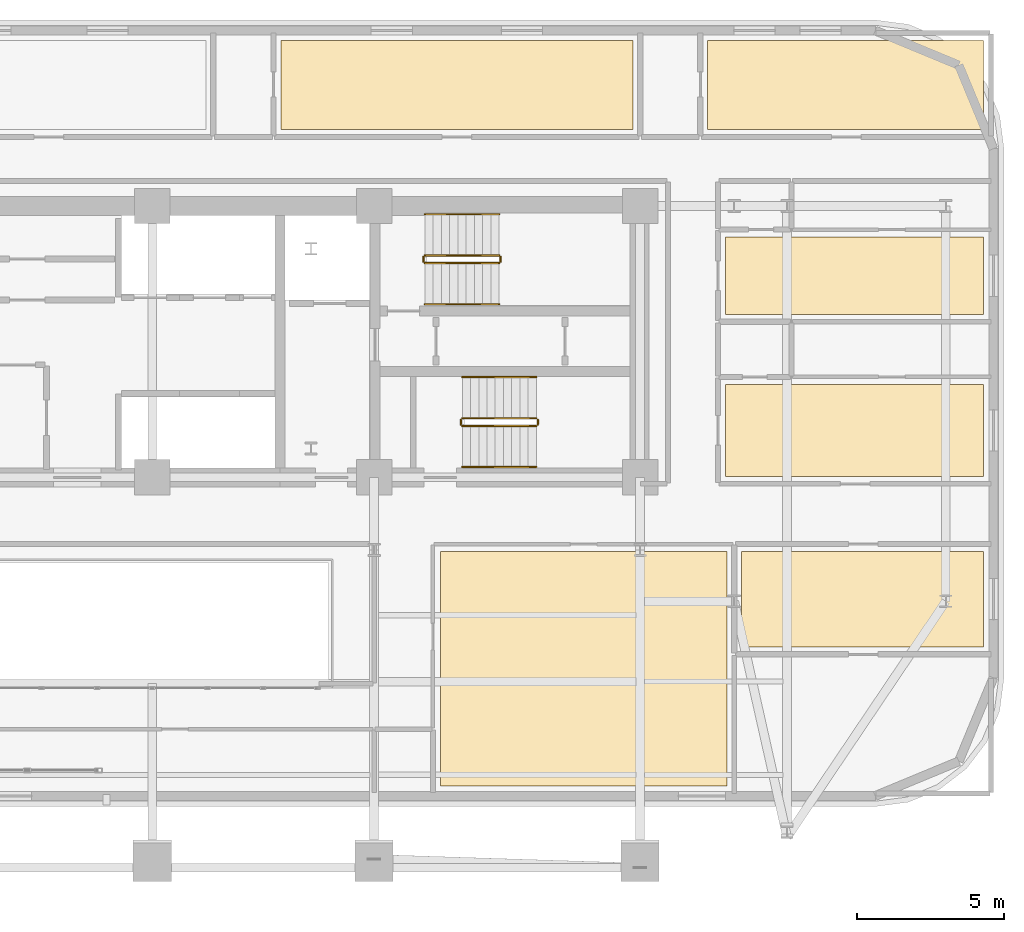
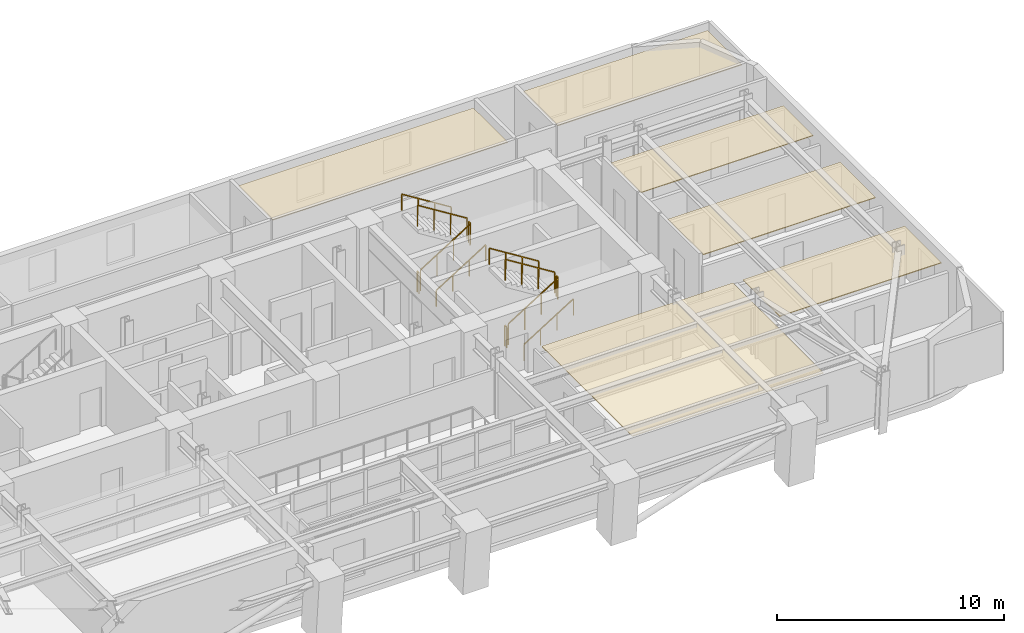
# One storey, part 15 of 15: 12 railings, 6 coverings.
"""IFC4 building model written with IfcOpenShell, lengths in metres."""

from ifc_helpers import new_model, si_unit, direction, frame, origin, origin_2d, place, context, subcontext, project, spatial, polyline, rectangle, outline, extrude, material, layer, layer_set, type_object, element, save


model = new_model("IFC4")

# Units and contexts
model_context = context("Model", 3, precision=1e-05, world=origin(), true_north=direction((0.0, 1.0)))
body_context = subcontext(model_context, "Body", "Model", "MODEL_VIEW")
ifc_project = project(units=[si_unit("LENGTHUNIT", "METRE"), si_unit("AREAUNIT", "SQUARE_METRE"), si_unit("VOLUMEUNIT", "CUBIC_METRE"), si_unit("PLANEANGLEUNIT", "RADIAN"), si_unit("MASSUNIT", "GRAM", prefix="KILO")], contexts=[model_context])

# Site, building, storey
site_placement = place(None, origin())
site = spatial("IfcSite", under=ifc_project, at=site_placement, CompositionType="ELEMENT")
building_placement = place(site_placement, origin())
building = spatial("IfcBuilding", under=site, at=building_placement, Name="Zarnavel Station Tower", CompositionType="ELEMENT")
storey_placement = place(building_placement, frame((0.0, 0.0, 125.800048828125)))
storey = spatial("IfcBuildingStorey", under=building, at=storey_placement, Name="L34", CompositionType="ELEMENT", Elevation=125.800048828125)

# Coverings
ifc_material_1 = material(Name="Perforated Gypsum and Mineral-Wool Acoustic Ceiling", Category="concrete")
ifc_layer = layer(ifc_material_1, 0.0400390625)
ifc_layer_set = layer_set([ifc_layer], Name="COV_CEIL_ACOUSTIC")
covering_type = type_object("IfcCoveringType", Name="COV_CEIL_ACOUSTIC", PredefinedType="CEILING", material=ifc_layer_set)
covering_1_placement = place(storey_placement, frame((0.0, 0.0, 2.919921875)))
element("IfcCovering", 1, at=covering_1_placement, inside=storey, type_object=covering_type, Name="L34 FNE1R Acoustic Ceiling", PredefinedType="CEILING", context=body_context, shape_type="SweptSolid", body=[
    extrude(outline(polyline([(48.300048828125, 27.85009765625), (57.090087890625, 27.85009765625), (57.090087890625, 30.986083984375), (48.300048828125, 30.986083984375), (48.300048828125, 27.85009765625)])), origin(), (0.0, 0.0, 1.0), 0.0400390625),
])
covering_2_placement = place(storey_placement, frame((0.0, 0.0, 2.919921875)))
element("IfcCovering", 2, at=covering_2_placement, inside=storey, type_object=covering_type, Name="L34 FNE2R Acoustic Ceiling", PredefinedType="CEILING", context=body_context, shape_type="SweptSolid", body=[
    extrude(outline(polyline([(48.300048828125, 33.35888671875), (57.090087890625, 33.35888671875), (57.090087890625, 36.0), (48.300048828125, 36.0), (48.300048828125, 33.35888671875)])), origin(), (0.0, 0.0, 1.0), 0.0400390625),
])
covering_3_placement = place(storey_placement, frame((0.0, 0.0, 2.919921875)))
element("IfcCovering", 3, at=covering_3_placement, inside=storey, type_object=covering_type, Name="L34 HN3R Acoustic Ceiling", PredefinedType="CEILING", context=body_context, shape_type="SweptSolid", body=[
    extrude(outline(polyline([(33.177001953125, 39.64990234375), (45.14990234375, 39.64990234375), (45.14990234375, 42.68994140625), (33.177001953125, 42.68994140625), (33.177001953125, 39.64990234375)])), origin(), (0.0, 0.0, 1.0), 0.0400390625),
])
covering_4_placement = place(storey_placement, frame((0.0, 0.0, 2.919921875)))
element("IfcCovering", 4, at=covering_4_placement, inside=storey, type_object=covering_type, Name="L34 HN4R Acoustic Ceiling", PredefinedType="CEILING", context=body_context, shape_type="SweptSolid", body=[
    extrude(outline(polyline([(47.699951171875, 39.64990234375), (57.090087890625, 39.64990234375), (57.090087890625, 42.68994140625), (47.699951171875, 42.68994140625), (47.699951171875, 39.64990234375)])), origin(), (0.0, 0.0, 1.0), 0.0400390625),
])
covering_5_placement = place(storey_placement, frame((0.0, 0.0, 2.919921875)))
element("IfcCovering", 5, at=covering_5_placement, inside=storey, type_object=covering_type, Name="L34 L33DIN Acoustic Ceiling", PredefinedType="CEILING", context=body_context, shape_type="SweptSolid", body=[
    extrude(outline(polyline([(38.60009765625, 17.31005859375), (48.35009765625, 17.31005859375), (48.35009765625, 25.300048828125), (38.60009765625, 25.300048828125), (38.60009765625, 17.31005859375)])), origin(), (0.0, 0.0, 1.0), 0.0400390625),
])
covering_6_placement = place(storey_placement, frame((0.0, 0.0, 2.919921875)))
element("IfcCovering", 6, at=covering_6_placement, inside=storey, type_object=covering_type, Name="L34 L33KIT Acoustic Ceiling", PredefinedType="CEILING", context=body_context, shape_type="SweptSolid", body=[
    extrude(outline(polyline([(48.85009765625, 22.050048828125), (57.090087890625, 22.050048828125), (57.090087890625, 25.300048828125), (48.85009765625, 25.300048828125), (48.85009765625, 22.050048828125)])), origin(), (0.0, 0.0, 1.0), 0.0400390625),
])

# Railings
ifc_material_2 = material(Name="Painted Steel S355J2 Balustrade", Category="steel")
railing_type_1 = type_object("IfcRailingType", Name="GR_INT_1150", PredefinedType="GUARDRAIL", material=ifc_material_2)
railing_1_placement = place(storey_placement, frame((38.080078125, 35.110107421875, 0.175048828125)))
element("IfcRailing", 7, at=railing_1_placement, inside=storey, type_object=railing_type_1, Name="L34 ST2 stair guard 1", PredefinedType="GUARDRAIL", context=body_context, shape_type="SweptSolid", body=[
    extrude(rectangle(XDim=0.048095703125, YDim=0.048095703125, at=origin_2d()), frame((0.001708984375, 0.0, 1.126953125), z_axis=(0.848007534815, 0.0, 0.529984170421), x_axis=(0.0, 1.0, 0.0)), (0.0, 0.0, 1.0), 2.9677734375),
    extrude(rectangle(XDim=0.0419921875, YDim=0.0419921875, at=origin_2d()), origin(), (0.0, 0.0, 1.0), 1.101806640625),
    extrude(rectangle(XDim=0.0419921875, YDim=0.0419921875, at=origin_2d()), frame((0.840087890625, 0.0, 0.52490234375)), (0.0, 0.0, 1.0), 1.101806640625),
    extrude(rectangle(XDim=0.0419921875, YDim=0.0419921875, at=origin_2d()), frame((1.679931640625, 0.0, 1.050048828125)), (0.0, 0.0, 1.0), 1.101806640625),
    extrude(rectangle(XDim=0.0419921875, YDim=0.0419921875, at=origin_2d()), frame((2.52001953125, 0.0, 1.574951171875)), (0.0, 0.0, 1.0), 1.101806640625),
])
railing_2_placement = place(storey_placement, frame((40.64990234375, 35.159912109375, 1.75)))
element("IfcRailing", 8, at=railing_2_placement, inside=storey, type_object=railing_type_1, Name="L34 ST2 stair guard 2", PredefinedType="GUARDRAIL", context=body_context, shape_type="SweptSolid", body=[
    extrude(rectangle(XDim=0.048095703125, YDim=0.048095703125, at=origin_2d()), frame((0.0, 0.001953125, 1.1259765625), z_axis=(0.0, 1.0, 0.0), x_axis=(-1.0, 0.0, 0.0)), (0.0, 0.0, 1.0), 0.15625),
    extrude(rectangle(XDim=0.0419921875, YDim=0.0419921875, at=origin_2d()), origin(), (0.0, 0.0, 1.0), 1.101806640625),
    extrude(rectangle(XDim=0.0419921875, YDim=0.0419921875, at=origin_2d()), frame((0.0, 0.16015625, 0.0)), (0.0, 0.0, 1.0), 1.101806640625),
])
railing_3_placement = place(storey_placement, frame((40.60009765625, 35.3701171875, 1.925048828125)))
element("IfcRailing", 9, at=railing_3_placement, inside=storey, type_object=railing_type_1, Name="L34 ST2 stair guard 3", PredefinedType="GUARDRAIL", context=body_context, shape_type="SweptSolid", body=[
    extrude(rectangle(XDim=0.048095703125, YDim=0.048095703125, at=origin_2d()), frame((-0.001708984375, 0.0, 1.126953125), z_axis=(-0.848007534815, 0.0, 0.529984170421), x_axis=(0.0, -1.0, 0.0)), (0.0, 0.0, 1.0), 2.9677734375),
    extrude(rectangle(XDim=0.0419921875, YDim=0.0419921875, at=origin_2d()), origin(), (0.0, 0.0, 1.0), 1.101806640625),
    extrude(rectangle(XDim=0.0419921875, YDim=0.0419921875, at=origin_2d()), frame((-0.840087890625, 0.0, 0.52490234375)), (0.0, 0.0, 1.0), 1.101806640625),
    extrude(rectangle(XDim=0.0419921875, YDim=0.0419921875, at=origin_2d()), frame((-1.679931640625, 0.0, 1.050048828125)), (0.0, 0.0, 1.0), 1.101806640625),
    extrude(rectangle(XDim=0.0419921875, YDim=0.0419921875, at=origin_2d()), frame((-2.52001953125, 0.0, 1.574951171875)), (0.0, 0.0, 1.0), 1.101806640625),
])
railing_4_placement = place(storey_placement, frame((38.030029296875, 35.159912109375, 0.0)))
element("IfcRailing", 10, at=railing_4_placement, inside=storey, type_object=railing_type_1, Name="L34 ST2 stair guard 4", PredefinedType="GUARDRAIL", context=body_context, shape_type="SweptSolid", body=[
    extrude(rectangle(XDim=0.048095703125, YDim=0.048095703125, at=origin_2d()), frame((0.0, 0.001953125, 1.1259765625), z_axis=(0.0, 1.0, 0.0), x_axis=(-1.0, 0.0, 0.0)), (0.0, 0.0, 1.0), 0.15625),
    extrude(rectangle(XDim=0.0419921875, YDim=0.0419921875, at=origin_2d()), origin(), (0.0, 0.0, 1.0), 1.101806640625),
    extrude(rectangle(XDim=0.0419921875, YDim=0.0419921875, at=origin_2d()), frame((0.0, 0.16015625, 0.0)), (0.0, 0.0, 1.0), 1.101806640625),
])
railing_5_placement = place(storey_placement, frame((39.35009765625, 29.570068359375, 0.175048828125)))
element("IfcRailing", 11, at=railing_5_placement, inside=storey, type_object=railing_type_1, Name="L34 ST3 stair guard 1", PredefinedType="GUARDRAIL", context=body_context, shape_type="SweptSolid", body=[
    extrude(rectangle(XDim=0.048095703125, YDim=0.048095703125, at=origin_2d()), frame((0.001708984375, 0.0, 1.126953125), z_axis=(0.848007534815, 0.0, 0.529984170421), x_axis=(0.0, 1.0, 0.0)), (0.0, 0.0, 1.0), 2.9677734375),
    extrude(rectangle(XDim=0.0419921875, YDim=0.0419921875, at=origin_2d()), origin(), (0.0, 0.0, 1.0), 1.101806640625),
    extrude(rectangle(XDim=0.0419921875, YDim=0.0419921875, at=origin_2d()), frame((0.840087890625, 0.0, 0.52490234375)), (0.0, 0.0, 1.0), 1.101806640625),
    extrude(rectangle(XDim=0.0419921875, YDim=0.0419921875, at=origin_2d()), frame((1.679931640625, 0.0, 1.050048828125)), (0.0, 0.0, 1.0), 1.101806640625),
    extrude(rectangle(XDim=0.0419921875, YDim=0.0419921875, at=origin_2d()), frame((2.52001953125, 0.0, 1.574951171875)), (0.0, 0.0, 1.0), 1.101806640625),
])
railing_6_placement = place(storey_placement, frame((41.919921875, 29.6201171875, 1.75)))
element("IfcRailing", 12, at=railing_6_placement, inside=storey, type_object=railing_type_1, Name="L34 ST3 stair guard 2", PredefinedType="GUARDRAIL", context=body_context, shape_type="SweptSolid", body=[
    extrude(rectangle(XDim=0.048095703125, YDim=0.048095703125, at=origin_2d()), frame((0.0, 0.001953125, 1.1259765625), z_axis=(0.0, 1.0, 0.0), x_axis=(-1.0, 0.0, 0.0)), (0.0, 0.0, 1.0), 0.156005859375),
    extrude(rectangle(XDim=0.0419921875, YDim=0.0419921875, at=origin_2d()), origin(), (0.0, 0.0, 1.0), 1.101806640625),
    extrude(rectangle(XDim=0.0419921875, YDim=0.0419921875, at=origin_2d()), frame((0.0, 0.159912109375, 0.0)), (0.0, 0.0, 1.0), 1.101806640625),
])
railing_7_placement = place(storey_placement, frame((41.8701171875, 29.830078125, 1.925048828125)))
element("IfcRailing", 13, at=railing_7_placement, inside=storey, type_object=railing_type_1, Name="L34 ST3 stair guard 3", PredefinedType="GUARDRAIL", context=body_context, shape_type="SweptSolid", body=[
    extrude(rectangle(XDim=0.048095703125, YDim=0.048095703125, at=origin_2d()), frame((-0.001708984375, 0.0, 1.126953125), z_axis=(-0.848007534815, 0.0, 0.529984170421), x_axis=(0.0, -1.0, 0.0)), (0.0, 0.0, 1.0), 2.9677734375),
    extrude(rectangle(XDim=0.0419921875, YDim=0.0419921875, at=origin_2d()), origin(), (0.0, 0.0, 1.0), 1.101806640625),
    extrude(rectangle(XDim=0.0419921875, YDim=0.0419921875, at=origin_2d()), frame((-0.840087890625, 0.0, 0.52490234375)), (0.0, 0.0, 1.0), 1.101806640625),
    extrude(rectangle(XDim=0.0419921875, YDim=0.0419921875, at=origin_2d()), frame((-1.679931640625, 0.0, 1.050048828125)), (0.0, 0.0, 1.0), 1.101806640625),
    extrude(rectangle(XDim=0.0419921875, YDim=0.0419921875, at=origin_2d()), frame((-2.52001953125, 0.0, 1.574951171875)), (0.0, 0.0, 1.0), 1.101806640625),
])
railing_8_placement = place(storey_placement, frame((39.300048828125, 29.6201171875, 0.0)))
element("IfcRailing", 14, at=railing_8_placement, inside=storey, type_object=railing_type_1, Name="L34 ST3 stair guard 4", PredefinedType="GUARDRAIL", context=body_context, shape_type="SweptSolid", body=[
    extrude(rectangle(XDim=0.048095703125, YDim=0.048095703125, at=origin_2d()), frame((0.0, 0.001953125, 1.1259765625), z_axis=(0.0, 1.0, 0.0), x_axis=(-1.0, 0.0, 0.0)), (0.0, 0.0, 1.0), 0.156005859375),
    extrude(rectangle(XDim=0.0419921875, YDim=0.0419921875, at=origin_2d()), origin(), (0.0, 0.0, 1.0), 1.101806640625),
    extrude(rectangle(XDim=0.0419921875, YDim=0.0419921875, at=origin_2d()), frame((0.0, 0.159912109375, 0.0)), (0.0, 0.0, 1.0), 1.101806640625),
])
ifc_material_3 = material(Name="Brushed Stainless Steel S355J2 Handrail", Category="steel")
railing_type_2 = type_object("IfcRailingType", Name="HR_STAIR_900", PredefinedType="HANDRAIL", material=ifc_material_3)
railing_9_placement = place(storey_placement, frame((38.080078125, 33.7099609375, 0.175048828125)))
element("IfcRailing", 15, at=railing_9_placement, inside=storey, type_object=railing_type_2, Name="L34 ST2 stair handrail 1", PredefinedType="HANDRAIL", context=body_context, shape_type="SweptSolid", body=[
    extrude(rectangle(XDim=0.048095703125, YDim=0.048095703125, at=origin_2d()), frame((0.001708984375, 0.0, 0.876953125), z_axis=(0.848007534815, 0.0, 0.529984170421), x_axis=(0.0, 1.0, 0.0)), (0.0, 0.0, 1.0), 2.9677734375),
    extrude(rectangle(XDim=0.0419921875, YDim=0.0419921875, at=origin_2d()), origin(), (0.0, 0.0, 1.0), 0.851806640625),
    extrude(rectangle(XDim=0.0419921875, YDim=0.0419921875, at=origin_2d()), frame((0.840087890625, 0.0, 0.52490234375)), (0.0, 0.0, 1.0), 0.851806640625),
    extrude(rectangle(XDim=0.0419921875, YDim=0.0419921875, at=origin_2d()), frame((1.679931640625, 0.0, 1.050048828125)), (0.0, 0.0, 1.0), 0.851806640625),
    extrude(rectangle(XDim=0.0419921875, YDim=0.0419921875, at=origin_2d()), frame((2.52001953125, 0.0, 1.574951171875)), (0.0, 0.0, 1.0), 0.851806640625),
])
railing_10_placement = place(storey_placement, frame((40.60009765625, 36.77001953125, 1.925048828125)))
element("IfcRailing", 16, at=railing_10_placement, inside=storey, type_object=railing_type_2, Name="L34 ST2 stair handrail 2", PredefinedType="HANDRAIL", context=body_context, shape_type="SweptSolid", body=[
    extrude(rectangle(XDim=0.048095703125, YDim=0.048095703125, at=origin_2d()), frame((-0.001708984375, 0.0, 0.876953125), z_axis=(-0.848007534815, 0.0, 0.529984170421), x_axis=(0.0, -1.0, 0.0)), (0.0, 0.0, 1.0), 2.9677734375),
    extrude(rectangle(XDim=0.0419921875, YDim=0.0419921875, at=origin_2d()), origin(), (0.0, 0.0, 1.0), 0.851806640625),
    extrude(rectangle(XDim=0.0419921875, YDim=0.0419921875, at=origin_2d()), frame((-0.840087890625, 0.0, 0.52490234375)), (0.0, 0.0, 1.0), 0.851806640625),
    extrude(rectangle(XDim=0.0419921875, YDim=0.0419921875, at=origin_2d()), frame((-1.679931640625, 0.0, 1.050048828125)), (0.0, 0.0, 1.0), 0.851806640625),
    extrude(rectangle(XDim=0.0419921875, YDim=0.0419921875, at=origin_2d()), frame((-2.52001953125, 0.0, 1.574951171875)), (0.0, 0.0, 1.0), 0.851806640625),
])
railing_11_placement = place(storey_placement, frame((39.35009765625, 28.169921875, 0.175048828125)))
element("IfcRailing", 17, at=railing_11_placement, inside=storey, type_object=railing_type_2, Name="L34 ST3 stair handrail 1", PredefinedType="HANDRAIL", context=body_context, shape_type="SweptSolid", body=[
    extrude(rectangle(XDim=0.048095703125, YDim=0.048095703125, at=origin_2d()), frame((0.001708984375, 0.0, 0.876953125), z_axis=(0.848007534815, 0.0, 0.529984170421), x_axis=(0.0, 1.0, 0.0)), (0.0, 0.0, 1.0), 2.9677734375),
    extrude(rectangle(XDim=0.0419921875, YDim=0.0419921875, at=origin_2d()), origin(), (0.0, 0.0, 1.0), 0.851806640625),
    extrude(rectangle(XDim=0.0419921875, YDim=0.0419921875, at=origin_2d()), frame((0.840087890625, 0.0, 0.52490234375)), (0.0, 0.0, 1.0), 0.851806640625),
    extrude(rectangle(XDim=0.0419921875, YDim=0.0419921875, at=origin_2d()), frame((1.679931640625, 0.0, 1.050048828125)), (0.0, 0.0, 1.0), 0.851806640625),
    extrude(rectangle(XDim=0.0419921875, YDim=0.0419921875, at=origin_2d()), frame((2.52001953125, 0.0, 1.574951171875)), (0.0, 0.0, 1.0), 0.851806640625),
])
railing_12_placement = place(storey_placement, frame((41.8701171875, 31.22998046875, 1.925048828125)))
element("IfcRailing", 18, at=railing_12_placement, inside=storey, type_object=railing_type_2, Name="L34 ST3 stair handrail 2", PredefinedType="HANDRAIL", context=body_context, shape_type="SweptSolid", body=[
    extrude(rectangle(XDim=0.048095703125, YDim=0.048095703125, at=origin_2d()), frame((-0.001708984375, 0.0, 0.876953125), z_axis=(-0.848007534815, 0.0, 0.529984170421), x_axis=(0.0, -1.0, 0.0)), (0.0, 0.0, 1.0), 2.9677734375),
    extrude(rectangle(XDim=0.0419921875, YDim=0.0419921875, at=origin_2d()), origin(), (0.0, 0.0, 1.0), 0.851806640625),
    extrude(rectangle(XDim=0.0419921875, YDim=0.0419921875, at=origin_2d()), frame((-0.840087890625, 0.0, 0.52490234375)), (0.0, 0.0, 1.0), 0.851806640625),
    extrude(rectangle(XDim=0.0419921875, YDim=0.0419921875, at=origin_2d()), frame((-1.679931640625, 0.0, 1.050048828125)), (0.0, 0.0, 1.0), 0.851806640625),
    extrude(rectangle(XDim=0.0419921875, YDim=0.0419921875, at=origin_2d()), frame((-2.52001953125, 0.0, 1.574951171875)), (0.0, 0.0, 1.0), 0.851806640625),
])

save(model, "model.ifc")
